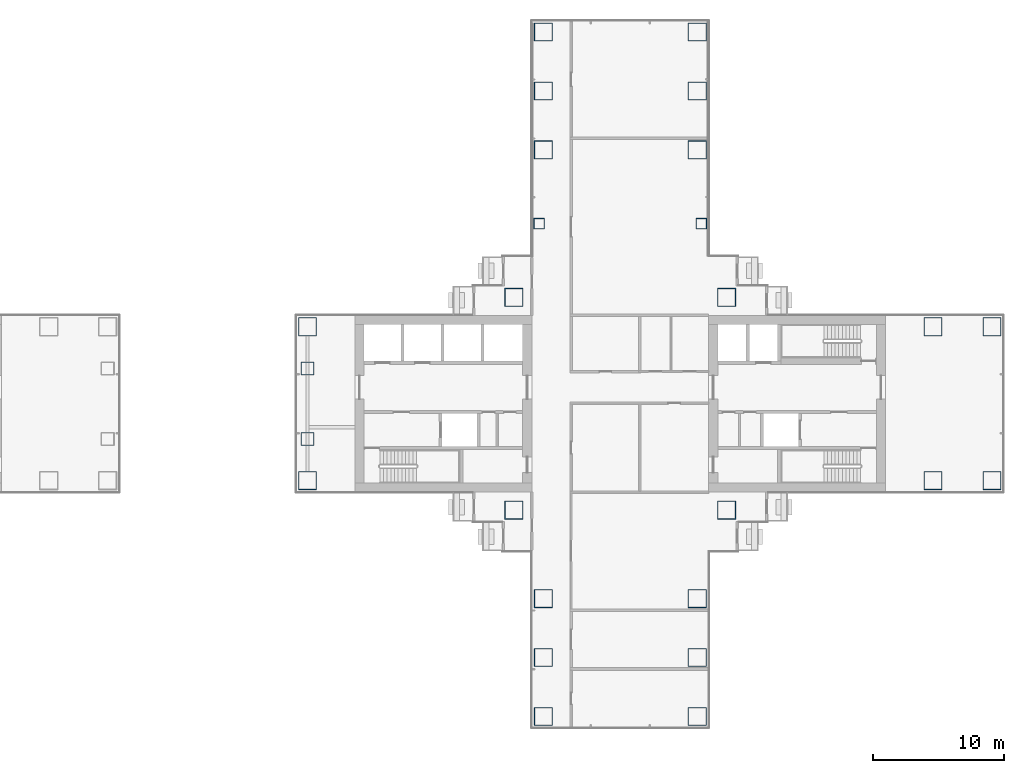
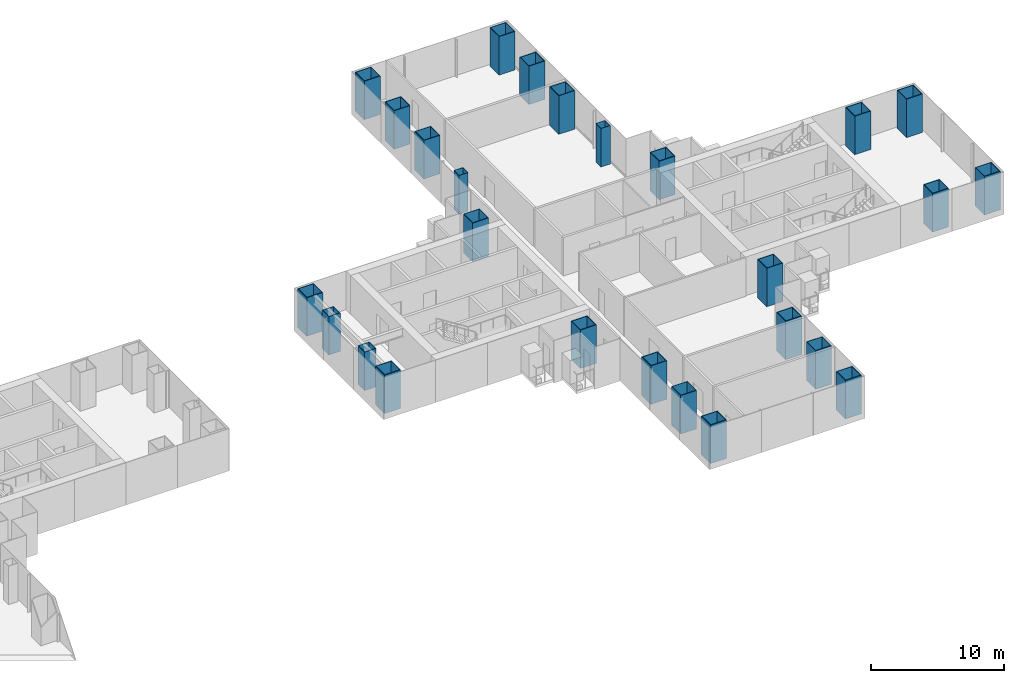
# One storey, part 2 of 22: 26 columns.
"""IFC4 building model written with IfcOpenShell, lengths in metres."""

from ifc_helpers import new_model, si_unit, direction, frame, origin, origin_2d, place, context, subcontext, project, spatial, hollow_rectangle, extrude, material, material_profile, profile_set, type_object, element, save


model = new_model("IFC4")

# Units and contexts
model_context = context("Model", 3, precision=1e-05, world=origin(), true_north=direction((0.0, 1.0)))
body_context = subcontext(model_context, "Body", "Model", "MODEL_VIEW")
ifc_project = project(units=[si_unit("LENGTHUNIT", "METRE"), si_unit("AREAUNIT", "SQUARE_METRE"), si_unit("VOLUMEUNIT", "CUBIC_METRE"), si_unit("PLANEANGLEUNIT", "RADIAN"), si_unit("MASSUNIT", "GRAM", prefix="KILO")], contexts=[model_context])

# Site, building, storey
site_placement = place(None, origin())
site = spatial("IfcSite", under=ifc_project, at=site_placement, CompositionType="ELEMENT")
building_placement = place(site_placement, origin())
building = spatial("IfcBuilding", under=site, at=building_placement, Name="Shamsa Quay Exchange Towers", CompositionType="ELEMENT")
storey_placement = place(building_placement, frame((0.0, 0.0, 69.300048828125)))
storey = spatial("IfcBuildingStorey", under=building, at=storey_placement, Name="L15", CompositionType="ELEMENT", Elevation=69.300048828125)

# Columns
ifc_material_1 = material(Name="Concrete-filled steel tube S355 / C80/95", Category="concrete")
ifc_material_profile_1 = material_profile(ifc_material_1, hollow_rectangle(XDim=1.39990234375, YDim=1.39990234375, WallThickness=0.050048828125, at=origin_2d()), Name="CFT 1400x1400x50")
ifc_profile_set_1 = profile_set([ifc_material_profile_1], Name="Concrete-filled steel tube S355 / C80/95")
column_type_1 = type_object("IfcColumnType", Name="Column CFT 1400x1400x50", PredefinedType="COLUMN", material=ifc_profile_set_1)
for number, where, name in (
    (1, (25.625, 8.125, 0.0), "Mega column T2-CM01"),
    (2, (41.875, 8.125, 0.0), "Mega column T2-CM02"),
    (3, (25.625, -8.125, 0.0), "Mega column T2-CM03"),
    (4, (41.875, -8.125, 0.0), "Mega column T2-CM04"),
    (5, (39.625, 19.375, 0.0), "Mega column T2-CM06"),
    (6, (39.625, 23.875, 0.0), "Mega column T2-CM07"),
    (7, (39.625, 28.375, 0.0), "Mega column T2-CM08"),
    (8, (27.875, 19.375, 0.0), "Mega column T2-CM10"),
    (9, (27.875, 23.875, 0.0), "Mega column T2-CM11"),
    (10, (27.875, 28.375, 0.0), "Mega column T2-CM12"),
    (11, (39.625, -14.875, 0.0), "Mega column T2-CM13"),
    (12, (39.625, -19.375, 0.0), "Mega column T2-CM14"),
    (13, (39.625, -23.875, 0.0), "Mega column T2-CM15"),
    (14, (27.875, -14.875, 0.0), "Mega column T2-CM16"),
    (15, (27.875, -19.375, 0.0), "Mega column T2-CM17"),
    (16, (27.875, -23.875, 0.0), "Mega column T2-CM18"),
    (17, (9.875, -5.875, 0.0), "Mega column T2-CM19"),
    (18, (9.875, 5.875, 0.0), "Mega column T2-CM20"),
    (19, (57.625, -5.875, 0.0), "Mega column T2-CM21"),
    (20, (62.125, -5.875, 0.0), "Mega column T2-CM22"),
    (21, (57.625, 5.875, 0.0), "Mega column T2-CM23"),
    (22, (62.125, 5.875, 0.0), "Mega column T2-CM24"),
):
    element("IfcColumn", number, at=place(storey_placement, frame(where)), inside=storey, type_object=column_type_1, Name=name, PredefinedType="COLUMN", context=body_context, shape_type="SweptSolid", body=[
        extrude(hollow_rectangle(XDim=1.39990234375, YDim=1.39990234375, WallThickness=0.050048828125, at=origin_2d()), origin(), (0.0, 0.0, 1.0), 3.550048828125),
    ])
ifc_material_2 = material(Name="Concrete-filled steel tube S355 / C60/75", Category="concrete")
ifc_material_profile_2 = material_profile(ifc_material_2, hollow_rectangle(XDim=0.800048828125, YDim=0.800048828125, WallThickness=0.02490234375, at=origin_2d()), Name="CFT 800x800x25")
ifc_profile_set_2 = profile_set([ifc_material_profile_2], Name="Concrete-filled steel tube S355 / C60/75")
column_type_2 = type_object("IfcColumnType", Name="Column CFT 800x800x25", PredefinedType="COLUMN", material=ifc_profile_set_2)
for number, where, name in (
    (23, (39.9375, 13.75, 0.0), "Perimeter column T2-CP05"),
    (24, (27.5625, 13.75, 0.0), "Perimeter column T2-CP09"),
):
    element("IfcColumn", number, at=place(storey_placement, frame(where)), inside=storey, type_object=column_type_2, Name=name, PredefinedType="COLUMN", context=body_context, shape_type="SweptSolid", body=[
        extrude(hollow_rectangle(XDim=0.800048828125, YDim=0.800048828125, WallThickness=0.02490234375, at=origin_2d()), origin(), (0.0, 0.0, 1.0), 3.550048828125),
    ])
ifc_material_3 = material(Name="Concrete-filled steel tube S355 / C70/85", Category="concrete")
ifc_material_profile_3 = material_profile(ifc_material_3, hollow_rectangle(XDim=1.0, YDim=1.0, WallThickness=0.0400390625, at=origin_2d()), Name="CFT 1000x1000x40")
ifc_profile_set_3 = profile_set([ifc_material_profile_3], Name="Concrete-filled steel tube S355 / C70/85")
column_type_3 = type_object("IfcColumnType", Name="Landing column CFT 1000x1000x40", PredefinedType="COLUMN", material=ifc_profile_set_3)
for number, where, name in (
    (25, (9.875, -2.699951171875, 0.0), "Landing column T2 S"),
    (26, (9.875, 2.699951171875, 0.0), "Landing column T2 N"),
):
    element("IfcColumn", number, at=place(storey_placement, frame(where)), inside=storey, type_object=column_type_3, Name=name, PredefinedType="COLUMN", context=body_context, shape_type="SweptSolid", body=[
        extrude(hollow_rectangle(XDim=1.0, YDim=1.0, WallThickness=0.0400390625, at=origin_2d()), origin(), (0.0, 0.0, 1.0), 3.550048828125),
    ])

save(model, "model.ifc")
